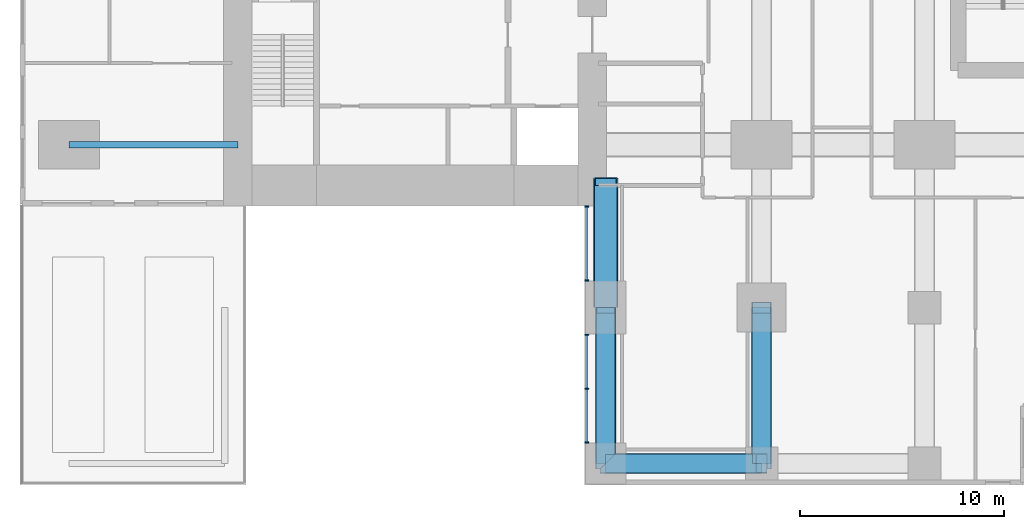
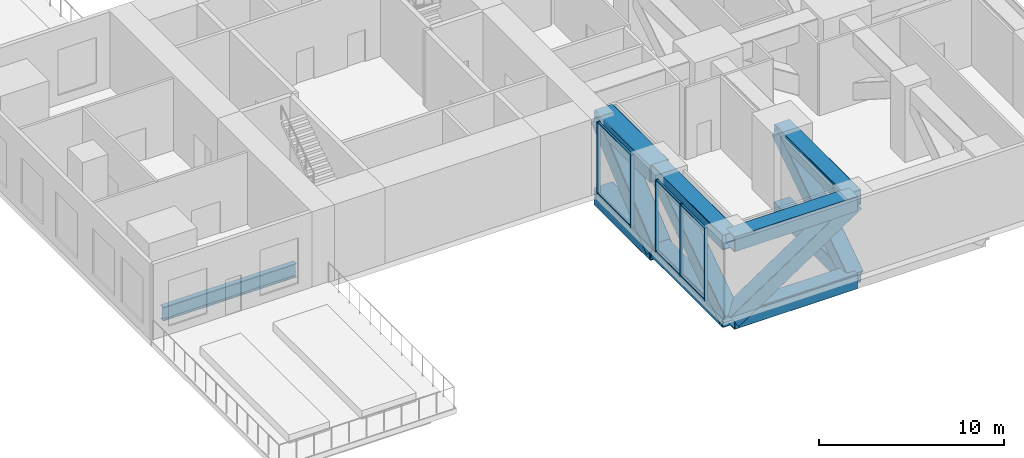
# One storey, part 2 of 10: 23 members, 1 beam, 2 elements without a shape of their own.
"""IFC4 building model written with IfcOpenShell, lengths in metres."""

import ifcopenshell
import ifcopenshell.guid

model = None  # the IFC model being written
_history = None  # IfcOwnerHistory: only IFC2X3 demands one
_inside = {}  # id of a spatial element -> (the spatial element, [elements in it])
_under = {}  # id of a project, library or spatial element -> (it, [spatial elements below it])
_declared = {}  # id of a project -> (the project, [libraries it declares])
_typed = {}  # id of a type object -> (the type object, [elements of that type])
_made_of = {}  # id of a material, layer set ... -> (it, [elements and type objects made of it])


def new_model(schema):
    """Start an empty IFC model of exactly this schema.

    Asked for "IFC4X3", IfcOpenShell would pick the latest addendum, in which some entities
    have other attributes; the version numbers below select the first issue.
    IFC2X3 requires an IfcOwnerHistory on every rooted entity: one is made here for all.
    """
    global model, _history
    if schema == "IFC4X3":
        model = ifcopenshell.file(schema_version=(4, 3, 0, 0))
    else:
        model = ifcopenshell.file(schema=schema)
    _inside.clear()
    _under.clear()
    _declared.clear()
    _typed.clear()
    _made_of.clear()
    _history = None
    if model.schema == "IFC2X3":
        org = make("IfcOrganization", Name="unknown")
        user = make(
            "IfcPersonAndOrganization",
            ThePerson=make("IfcPerson", FamilyName="unknown"),
            TheOrganization=org,
        )
        app = make(
            "IfcApplication",
            ApplicationDeveloper=org,
            Version="unknown",
            ApplicationFullName="unknown",
            ApplicationIdentifier="unknown",
        )
        _history = make(
            "IfcOwnerHistory",
            OwningUser=user,
            OwningApplication=app,
            ChangeAction="ADDED",
            CreationDate=0,
        )
    return model


def make(cls, **values):
    """One entity of the class cls with the attributes given. An attribute that is None is left unset."""
    return model.create_entity(
        cls, **{name: value for name, value in values.items() if value is not None}
    )


def rooted(cls, **values):
    """An entity with a GlobalId (a new one), such as an element, a storey or a relation."""
    return make(cls, GlobalId=ifcopenshell.guid.new(), OwnerHistory=_history, **values)


def si_unit(unit_type, name, prefix=None):
    """IfcSIUnit, for example si_unit("LENGTHUNIT", "METRE", prefix="MILLI")."""
    return make("IfcSIUnit", UnitType=unit_type, Prefix=prefix, Name=name)


def assignment(units):
    """IfcUnitAssignment: the units of a project."""
    return None if units is None else make("IfcUnitAssignment", Units=units)


def point(xyz):
    """IfcCartesianPoint."""
    return None if xyz is None else make("IfcCartesianPoint", Coordinates=xyz)


def direction(xyz):
    """IfcDirection."""
    return None if xyz is None else make("IfcDirection", DirectionRatios=xyz)


def frame(location, z_axis=None, x_axis=None):
    """IfcAxis2Placement3D, a coordinate frame: its origin and axes. An axis left out is left unset."""
    return make(
        "IfcAxis2Placement3D",
        Location=point(location),
        Axis=direction(z_axis),
        RefDirection=direction(x_axis),
    )


def frame_2d(location, x_axis=None):
    """IfcAxis2Placement2D, a coordinate frame in the plane: its origin and x axis."""
    return make(
        "IfcAxis2Placement2D", Location=point(location), RefDirection=direction(x_axis)
    )


def origin():
    """The frame at (0, 0, 0) with its axes left unset."""
    return frame((0.0, 0.0, 0.0))


def origin_2d():
    """The frame at (0, 0) in the plane with its x axis left unset."""
    return frame_2d((0.0, 0.0))


def place(relative_to, where):
    """IfcLocalPlacement: puts the frame where relative to a parent placement (None: the world)."""
    return make(
        "IfcLocalPlacement", PlacementRelTo=relative_to, RelativePlacement=where
    )


def context(
    kind, dimensions, precision=None, world=None, true_north=None, identifier=None
):
    """IfcGeometricRepresentationContext, for example the 3D "Model" context."""
    return make(
        "IfcGeometricRepresentationContext",
        ContextIdentifier=identifier,
        ContextType=kind,
        CoordinateSpaceDimension=dimensions,
        Precision=precision,
        WorldCoordinateSystem=world,
        TrueNorth=true_north,
    )


def subcontext(parent, identifier, kind, view, scale=None):
    """IfcGeometricRepresentationSubContext, for example "Body" below "Model"."""
    return make(
        "IfcGeometricRepresentationSubContext",
        ContextIdentifier=identifier,
        ContextType=kind,
        ParentContext=parent,
        TargetScale=scale,
        TargetView=view,
    )


def project(units=None, contexts=None):
    """IfcProject with its units and contexts."""
    return rooted(
        "IfcProject",
        Name="project",
        RepresentationContexts=contexts,
        UnitsInContext=assignment(units),
    )


def spatial(cls, under=None, at=None, **own):
    """A site, building, storey or space (cls), placed at a placement, below another one or the project."""
    s = rooted(cls, ObjectPlacement=at, **own)
    if under is not None:
        _under.setdefault(under.id(), (under, []))[1].append(s)
    return s


def profile(cls, at=None, kind="AREA", **sizes):
    """A parametric profile (cls). Its sizes go by their IFC names, for example OverallWidth=200.0."""
    return make(cls, ProfileType=kind, Position=at, **sizes)


def rectangle(**sizes):
    """IfcRectangleProfileDef."""
    return profile("IfcRectangleProfileDef", **sizes)


def hollow_rectangle(**sizes):
    """IfcRectangleHollowProfileDef."""
    return profile("IfcRectangleHollowProfileDef", **sizes)


def i_section(**sizes):
    """IfcIShapeProfileDef."""
    return profile("IfcIShapeProfileDef", **sizes)


def extrude(swept, where, along, depth):
    """IfcExtrudedAreaSolid: the profile swept, set in the frame where, extruded along a direction by depth."""
    return make(
        "IfcExtrudedAreaSolid",
        SweptArea=swept,
        Position=where,
        ExtrudedDirection=direction(along),
        Depth=depth,
    )


def shape(context_of_items, identifier, shape_type, items):
    """IfcShapeRepresentation: the items that make up one representation, for example the "Body"."""
    return make(
        "IfcShapeRepresentation",
        ContextOfItems=context_of_items,
        RepresentationIdentifier=identifier,
        RepresentationType=shape_type,
        Items=items,
    )


def material(Name=None, Category=None):
    """IfcMaterial."""
    return make("IfcMaterial", Name=Name, Category=Category)


def layer(
    of_material, thickness, ventilated=None, Name=None, Category=None, Priority=None
):
    """IfcMaterialLayer: one layer of a wall or slab, of a material (None: an air gap)."""
    return make(
        "IfcMaterialLayer",
        Material=of_material,
        LayerThickness=thickness,
        IsVentilated=ventilated,
        Name=Name,
        Category=Category,
        Priority=Priority,
    )


def layer_set(layers, Name=None):
    """IfcMaterialLayerSet."""
    return make("IfcMaterialLayerSet", MaterialLayers=layers, LayerSetName=Name)


def material_profile(
    of_material, cross_section, Name=None, Category=None, Priority=None
):
    """IfcMaterialProfile: a cross section and its material."""
    return make(
        "IfcMaterialProfile",
        Name=Name,
        Material=of_material,
        Profile=cross_section,
        Priority=Priority,
        Category=Category,
    )


def profile_set(profiles, Name=None, composite=None):
    """IfcMaterialProfileSet."""
    return make(
        "IfcMaterialProfileSet",
        Name=Name,
        MaterialProfiles=profiles,
        CompositeProfile=composite,
    )


def made_of(thing, what):
    """Note that an element or type object is made of a material, layer set ...; save() writes the relation."""
    if what is not None:
        _made_of.setdefault(what.id(), (what, []))[1].append(thing)
    return thing


def type_object(cls, material=None, **own):
    """A type object (cls), such as IfcWallType, which elements share."""
    return made_of(rooted(cls, **own), material)


def element(
    cls,
    number,
    at=None,
    inside=None,
    cuts=None,
    type_object=None,
    material=None,
    context=None,
    identifier="Body",
    shape_type=None,
    held_by="IfcProductDefinitionShape",
    body=None,
    shapes=None,
    **own,
):
    """One element of the class cls, such as IfcWall. Its Tag is "e" and its number.

    at: its placement. inside: the storey or other place that contains it. cuts: it is an
    opening in that element (IfcRelVoidsElement). A single representation is given by context,
    identifier, shape_type and body (its items); several are given by shapes. held_by: the class
    of the entity that holds the representations. save() writes the other relations.
    """
    e = rooted(cls, Tag="e%d" % number, ObjectPlacement=at, **own)
    if body is not None:
        shapes = [shape(context, identifier, shape_type, body)]
    if shapes is not None:
        e.Representation = make(held_by, Representations=shapes)
    if inside is not None:
        _inside.setdefault(inside.id(), (inside, []))[1].append(e)
    if cuts is not None:
        rooted(
            "IfcRelVoidsElement", RelatingBuildingElement=cuts, RelatedOpeningElement=e
        )
    if type_object is not None:
        _typed.setdefault(type_object.id(), (type_object, []))[1].append(e)
    return made_of(e, material)


def aggregate(whole, parts):
    """IfcRelAggregates: a whole, such as a stair, and the parts it consists of."""
    return rooted("IfcRelAggregates", RelatingObject=whole, RelatedObjects=parts)


def save(model, path):
    """Write the relations noted so far, then the file.

    IfcRelAggregates (storeys below a building ...), IfcRelContainedInSpatialStructure (elements
    in a storey), IfcRelDefinesByType, IfcRelAssociatesMaterial and IfcRelDeclares: one each for
    every whole, place, type object, material and project.
    """
    for whole, parts in _under.values():
        aggregate(whole, parts)
    for where, things in _inside.values():
        rooted(
            "IfcRelContainedInSpatialStructure",
            RelatedElements=things,
            RelatingStructure=where,
        )
    for kind, things in _typed.values():
        rooted("IfcRelDefinesByType", RelatedObjects=things, RelatingType=kind)
    for what, things in _made_of.values():
        rooted("IfcRelAssociatesMaterial", RelatedObjects=things, RelatingMaterial=what)
    for by, libraries in _declared.values():
        rooted("IfcRelDeclares", RelatingContext=by, RelatedDefinitions=libraries)
    model.write(path)


model = new_model("IFC4")

# Units and contexts
model_context = context("Model", 3, precision=1e-05, world=origin(), true_north=direction((0.0, 1.0)))
body_context = subcontext(model_context, "Body", "Model", "MODEL_VIEW")
ifc_project = project(units=[si_unit("LENGTHUNIT", "METRE"), si_unit("AREAUNIT", "SQUARE_METRE"), si_unit("VOLUMEUNIT", "CUBIC_METRE"), si_unit("PLANEANGLEUNIT", "RADIAN"), si_unit("MASSUNIT", "GRAM", prefix="KILO")], contexts=[model_context])

# Site, building, storey
site_placement = place(None, origin())
site = spatial("IfcSite", under=ifc_project, at=site_placement, CompositionType="ELEMENT")
building_placement = place(site_placement, origin())
building = spatial("IfcBuilding", under=site, at=building_placement, Name="Cleftline Residences", CompositionType="ELEMENT")
storey_placement = place(building_placement, frame((0.0, 0.0, 225.39990234375)))
storey = spatial("IfcBuildingStorey", under=building, at=storey_placement, Name="L59", CompositionType="ELEMENT", Elevation=225.39990234375)

# Beam
ifc_material_1 = material(Name="Steel S355", Category="steel")
ifc_material_profile_1 = material_profile(ifc_material_1, i_section(OverallWidth=0.302001953125, OverallDepth=0.909912109375, WebThickness=0.02099609375, FlangeThickness=0.0400390625, FilletRadius=0.030029296875, at=origin_2d()))
ifc_profile_set_1 = profile_set([ifc_material_profile_1], Name="Steel S355")
beam_type = type_object("IfcBeamType", Name="BEAM HEM 900", PredefinedType="BEAM", material=ifc_profile_set_1)
beam_placement = place(storey_placement, frame((16.0, 16.0, -0.804931640625), z_axis=(1.0, 0.0, 0.0), x_axis=(0.0, 1.0, 0.0)))
element("IfcBeam", 1, at=beam_placement, inside=storey, type_object=beam_type, Name="Band beam", PredefinedType="BEAM", context=body_context, shape_type="SweptSolid", body=[
    extrude(i_section(OverallWidth=0.302001953125, OverallDepth=0.909912109375, WebThickness=0.02099609375, FlangeThickness=0.0400390625, FilletRadius=0.030029296875, at=origin_2d()), origin(), (0.0, 0.0, 1.0), 8.300048828125),
])

# Members
ifc_material_2 = material(Name="Steel S355", Category="steel")
ifc_material_profile_2 = material_profile(ifc_material_2, hollow_rectangle(XDim=1.0, YDim=1.0, WallThickness=0.0400390625, InnerFilletRadius=0.0400390625, OuterFilletRadius=0.06005859375, at=origin_2d()))
ifc_profile_set_2 = profile_set([ifc_material_profile_2], Name="Steel S355")
member_type_1 = type_object("IfcMemberType", Name="BRACE BOX 1000X1000X40", PredefinedType="BRACE", material=ifc_profile_set_2)
for number, where, z_axis, x_axis, name in (
    (2, (42.35009765625, 0.35009765625, -0.849853515625), (0.0, 0.832054379602, 0.55469406828), (0.0, -0.55469406828, 0.832054379602), "Belt truss diagonal"),
    (3, (50.0, 0.35009765625, -0.849853515625), (0.0, 0.832054379602, 0.55469406828), (0.0, -0.55469406828, 0.832054379602), "Belt truss diagonal"),
    (4, (42.35009765625, 0.35009765625, -0.849853515625), (0.832054379602, 0.0, 0.55469406828), (-0.55469406828, 0.0, 0.832054379602), "Belt truss diagonal"),
):
    element("IfcMember", number, at=place(storey_placement, frame(where, z_axis=z_axis, x_axis=x_axis)), inside=storey, type_object=member_type_1, Name=name, PredefinedType="BRACE", context=body_context, shape_type="SweptSolid", body=[
        extrude(hollow_rectangle(XDim=1.0, YDim=1.0, WallThickness=0.0400390625, InnerFilletRadius=0.0400390625, OuterFilletRadius=0.06005859375, at=origin_2d()), origin(), (0.0, 0.0, 1.0), 9.194091796875),
    ])
ifc_material_3 = material(Name="Steel S355", Category="steel")
ifc_material_profile_3 = material_profile(ifc_material_3, hollow_rectangle(XDim=1.199951171875, YDim=1.199951171875, WallThickness=0.06005859375, InnerFilletRadius=0.06005859375, OuterFilletRadius=0.090087890625, at=origin_2d()))
ifc_profile_set_3 = profile_set([ifc_material_profile_3], Name="Steel S355")
member_type_2 = type_object("IfcMemberType", Name="BRACE BOX 1200X1200X60", PredefinedType="BRACE", material=ifc_profile_set_3)
member_1_placement = place(storey_placement, frame((42.35009765625, 8.0, -0.949951171875), z_axis=(0.0, 0.761933198092, 0.647655619635), x_axis=(0.0, -0.647655619635, 0.761933198092)))
element("IfcMember", 5, at=member_1_placement, inside=storey, type_object=member_type_2, Name="Outrigger truss diagonal", PredefinedType="BRACE", context=body_context, shape_type="SweptSolid", body=[
    extrude(hollow_rectangle(XDim=1.199951171875, YDim=1.199951171875, WallThickness=0.06005859375, InnerFilletRadius=0.06005859375, OuterFilletRadius=0.090087890625, at=origin_2d()), origin(), (0.0, 0.0, 1.0), 7.874755859375),
])
ifc_material_4 = material(Name="Steel S355", Category="steel")
ifc_material_profile_4 = material_profile(ifc_material_4, hollow_rectangle(XDim=1.0, YDim=1.0, WallThickness=0.0400390625, InnerFilletRadius=0.0400390625, OuterFilletRadius=0.06005859375, at=origin_2d()))
ifc_profile_set_4 = profile_set([ifc_material_profile_4], Name="Steel S355")
member_type_3 = type_object("IfcMemberType", Name="CHORD BOX 1000X1000X40", PredefinedType="CHORD", material=ifc_profile_set_4)
for number, where, z_axis, x_axis, name in (
    (6, (42.35009765625, 0.35009765625, -0.849853515625), (0.0, 1.0, 0.0), (-1.0, 0.0, 0.0), "Belt truss bottom chord"),
    (7, (42.35009765625, 0.35009765625, 4.25), (0.0, 1.0, 0.0), (-1.0, 0.0, 0.0), "Belt truss top chord"),
    (8, (50.0, 0.35009765625, -0.849853515625), (0.0, 1.0, 0.0), (-1.0, 0.0, 0.0), "Belt truss bottom chord"),
    (9, (50.0, 0.35009765625, 4.25), (0.0, 1.0, 0.0), (-1.0, 0.0, 0.0), "Belt truss top chord"),
    (10, (42.35009765625, 0.35009765625, -0.849853515625), (1.0, 0.0, 0.0), (0.0, 1.0, 0.0), "Belt truss bottom chord"),
    (11, (42.35009765625, 0.35009765625, 4.25), (1.0, 0.0, 0.0), (0.0, 1.0, 0.0), "Belt truss top chord"),
):
    element("IfcMember", number, at=place(storey_placement, frame(where, z_axis=z_axis, x_axis=x_axis)), inside=storey, type_object=member_type_3, Name=name, PredefinedType="CHORD", context=body_context, shape_type="SweptSolid", body=[
        extrude(hollow_rectangle(XDim=1.0, YDim=1.0, WallThickness=0.0400390625, InnerFilletRadius=0.0400390625, OuterFilletRadius=0.06005859375, at=origin_2d()), origin(), (0.0, 0.0, 1.0), 7.64990234375),
    ])
ifc_material_5 = material(Name="Steel S355", Category="steel")
ifc_material_profile_5 = material_profile(ifc_material_5, hollow_rectangle(XDim=1.199951171875, YDim=1.199951171875, WallThickness=0.06005859375, InnerFilletRadius=0.06005859375, OuterFilletRadius=0.090087890625, at=origin_2d()))
ifc_profile_set_5 = profile_set([ifc_material_profile_5], Name="Steel S355")
member_type_4 = type_object("IfcMemberType", Name="CHORD BOX 1200X1200X60", PredefinedType="CHORD", material=ifc_profile_set_5)
for number, where, z_axis, x_axis, name in (
    (12, (42.35009765625, 8.0, -0.949951171875), (0.0, 1.0, 0.0), (-1.0, 0.0, 0.0), "Outrigger truss bottom chord"),
    (13, (42.35009765625, 8.0, 4.150146484375), (0.0, 1.0, 0.0), (-1.0, 0.0, 0.0), "Outrigger truss top chord"),
):
    element("IfcMember", number, at=place(storey_placement, frame(where, z_axis=z_axis, x_axis=x_axis)), inside=storey, type_object=member_type_4, Name=name, PredefinedType="CHORD", context=body_context, shape_type="SweptSolid", body=[
        extrude(hollow_rectangle(XDim=1.199951171875, YDim=1.199951171875, WallThickness=0.06005859375, InnerFilletRadius=0.06005859375, OuterFilletRadius=0.090087890625, at=origin_2d()), origin(), (0.0, 0.0, 1.0), 6.0),
    ])

# Curtain wall, members
ifc_material_6 = material(Name="Aluminium framed curtain wall", Category="aluminium")
ifc_layer = layer(ifc_material_6, 0.199951171875)
ifc_layer_set = layer_set([ifc_layer], Name="CW1 CLEFT GLAZING")
curtain_wall_type = type_object("IfcCurtainWallType", Name="CW1 CLEFT GLAZING", PredefinedType="NOTDEFINED", material=ifc_layer_set)
curtain_wall_1_placement = place(storey_placement, origin())
curtain_wall_1 = element("IfcCurtainWall", 14, at=curtain_wall_1_placement, inside=storey, type_object=curtain_wall_type, Name="Curtain wall CW1", PredefinedType="NOTDEFINED")
ifc_material_7 = material(Name="Aluminium mullion", Category="aluminium")
ifc_material_profile_6 = material_profile(ifc_material_7, rectangle(XDim=0.199951171875, YDim=0.06005859375, at=origin_2d()))
ifc_profile_set_6 = profile_set([ifc_material_profile_6], Name="Aluminium mullion")
member_type_5 = type_object("IfcMemberType", Name="CW1 MULLION", PredefinedType="MULLION", material=ifc_profile_set_6)
member_2_placement = place(storey_placement, frame((41.425048828125, 12.969970703125, 0.0), z_axis=(0.0, 0.0, 1.0), x_axis=(1.0, 0.0, 0.0)))
member_2 = element("IfcMember", 15, at=member_2_placement, type_object=member_type_5, Name="CW1 mullion 1", PredefinedType="MULLION", context=body_context, shape_type="SweptSolid", body=[
    extrude(rectangle(XDim=0.199951171875, YDim=0.06005859375, at=origin_2d()), origin(), (0.0, 0.0, 1.0), 4.75),
])
member_3_placement = place(storey_placement, frame((41.425048828125, 9.330078125, 0.0), z_axis=(0.0, 0.0, 1.0), x_axis=(1.0, 0.0, 0.0)))
member_3 = element("IfcMember", 16, at=member_3_placement, type_object=member_type_5, Name="CW1 mullion 2", PredefinedType="MULLION", context=body_context, shape_type="SweptSolid", body=[
    extrude(rectangle(XDim=0.199951171875, YDim=0.06005859375, at=origin_2d()), origin(), (0.0, 0.0, 1.0), 4.75),
])

curtain_wall_2_placement = place(storey_placement, origin())
curtain_wall_2 = element("IfcCurtainWall", 17, at=curtain_wall_2_placement, inside=storey, type_object=curtain_wall_type, Name="Curtain wall CW1", PredefinedType="NOTDEFINED")
member_4_placement = place(storey_placement, frame((41.425048828125, 6.669921875, 0.0), z_axis=(0.0, 0.0, 1.0), x_axis=(1.0, 0.0, 0.0)))
member_4 = element("IfcMember", 18, at=member_4_placement, type_object=member_type_5, Name="CW1 mullion 1", PredefinedType="MULLION", context=body_context, shape_type="SweptSolid", body=[
    extrude(rectangle(XDim=0.199951171875, YDim=0.06005859375, at=origin_2d()), origin(), (0.0, 0.0, 1.0), 4.75),
])
member_5_placement = place(storey_placement, frame((41.425048828125, 4.02490234375, 0.0), z_axis=(0.0, 0.0, 1.0), x_axis=(1.0, 0.0, 0.0)))
member_5 = element("IfcMember", 19, at=member_5_placement, type_object=member_type_5, Name="CW1 mullion 2", PredefinedType="MULLION", context=body_context, shape_type="SweptSolid", body=[
    extrude(rectangle(XDim=0.199951171875, YDim=0.06005859375, at=origin_2d()), origin(), (0.0, 0.0, 1.0), 4.75),
])
member_6_placement = place(storey_placement, frame((41.425048828125, 1.3798828125, 0.0), z_axis=(0.0, 0.0, 1.0), x_axis=(1.0, 0.0, 0.0)))
member_6 = element("IfcMember", 20, at=member_6_placement, type_object=member_type_5, Name="CW1 mullion 3", PredefinedType="MULLION", context=body_context, shape_type="SweptSolid", body=[
    extrude(rectangle(XDim=0.199951171875, YDim=0.06005859375, at=origin_2d()), origin(), (0.0, 0.0, 1.0), 4.75),
])

# Member
ifc_material_8 = material(Name="Aluminium transom", Category="aluminium")
ifc_material_profile_7 = material_profile(ifc_material_8, rectangle(XDim=0.1201171875, YDim=0.06005859375, at=origin_2d()))
ifc_profile_set_7 = profile_set([ifc_material_profile_7], Name="Aluminium transom")
member_type_6 = type_object("IfcMemberType", Name="CW1 TRANSOM", PredefinedType="USERDEFINED", material=ifc_profile_set_7)
member_7_placement = place(storey_placement, frame((41.425048828125, 12.93994140625, 0.030029296875), z_axis=(0.0, -1.0, 0.0), x_axis=(1.0, 0.0, 0.0)))
member_7 = element("IfcMember", 21, at=member_7_placement, type_object=member_type_6, Name="CW1 transom 1.1", ObjectType="TRANSOM", PredefinedType="USERDEFINED", context=body_context, shape_type="SweptSolid", body=[
    extrude(rectangle(XDim=0.1201171875, YDim=0.06005859375, at=origin_2d()), origin(), (0.0, 0.0, 1.0), 3.579833984375),
])

member_8_placement = place(storey_placement, frame((41.425048828125, 12.93994140625, 4.72021484375), z_axis=(0.0, -1.0, 0.0), x_axis=(1.0, 0.0, 0.0)))
member_8 = element("IfcMember", 22, at=member_8_placement, type_object=member_type_6, Name="CW1 transom 1.2", ObjectType="TRANSOM", PredefinedType="USERDEFINED", context=body_context, shape_type="SweptSolid", body=[
    extrude(rectangle(XDim=0.1201171875, YDim=0.06005859375, at=origin_2d()), origin(), (0.0, 0.0, 1.0), 3.579833984375),
])

aggregate(curtain_wall_1, [member_2, member_3, member_7, member_8])

member_9_placement = place(storey_placement, frame((41.425048828125, 6.639892578125, 0.030029296875), z_axis=(0.0, -1.0, 0.0), x_axis=(1.0, 0.0, 0.0)))
member_9 = element("IfcMember", 23, at=member_9_placement, type_object=member_type_6, Name="CW1 transom 1.1", ObjectType="TRANSOM", PredefinedType="USERDEFINED", context=body_context, shape_type="SweptSolid", body=[
    extrude(rectangle(XDim=0.1201171875, YDim=0.06005859375, at=origin_2d()), origin(), (0.0, 0.0, 1.0), 2.5849609375),
])

member_10_placement = place(storey_placement, frame((41.425048828125, 6.639892578125, 4.72021484375), z_axis=(0.0, -1.0, 0.0), x_axis=(1.0, 0.0, 0.0)))
member_10 = element("IfcMember", 24, at=member_10_placement, type_object=member_type_6, Name="CW1 transom 1.2", ObjectType="TRANSOM", PredefinedType="USERDEFINED", context=body_context, shape_type="SweptSolid", body=[
    extrude(rectangle(XDim=0.1201171875, YDim=0.06005859375, at=origin_2d()), origin(), (0.0, 0.0, 1.0), 2.5849609375),
])

member_11_placement = place(storey_placement, frame((41.425048828125, 3.9951171875, 0.030029296875), z_axis=(0.0, -1.0, 0.0), x_axis=(1.0, 0.0, 0.0)))
member_11 = element("IfcMember", 25, at=member_11_placement, type_object=member_type_6, Name="CW1 transom 2.1", ObjectType="TRANSOM", PredefinedType="USERDEFINED", context=body_context, shape_type="SweptSolid", body=[
    extrude(rectangle(XDim=0.1201171875, YDim=0.06005859375, at=origin_2d()), origin(), (0.0, 0.0, 1.0), 2.585205078125),
])

member_12_placement = place(storey_placement, frame((41.425048828125, 3.9951171875, 4.72021484375), z_axis=(0.0, -1.0, 0.0), x_axis=(1.0, 0.0, 0.0)))
member_12 = element("IfcMember", 26, at=member_12_placement, type_object=member_type_6, Name="CW1 transom 2.2", ObjectType="TRANSOM", PredefinedType="USERDEFINED", context=body_context, shape_type="SweptSolid", body=[
    extrude(rectangle(XDim=0.1201171875, YDim=0.06005859375, at=origin_2d()), origin(), (0.0, 0.0, 1.0), 2.585205078125),
])

aggregate(curtain_wall_2, [member_4, member_5, member_6, member_9, member_10, member_11, member_12])

save(model, "model.ifc")
